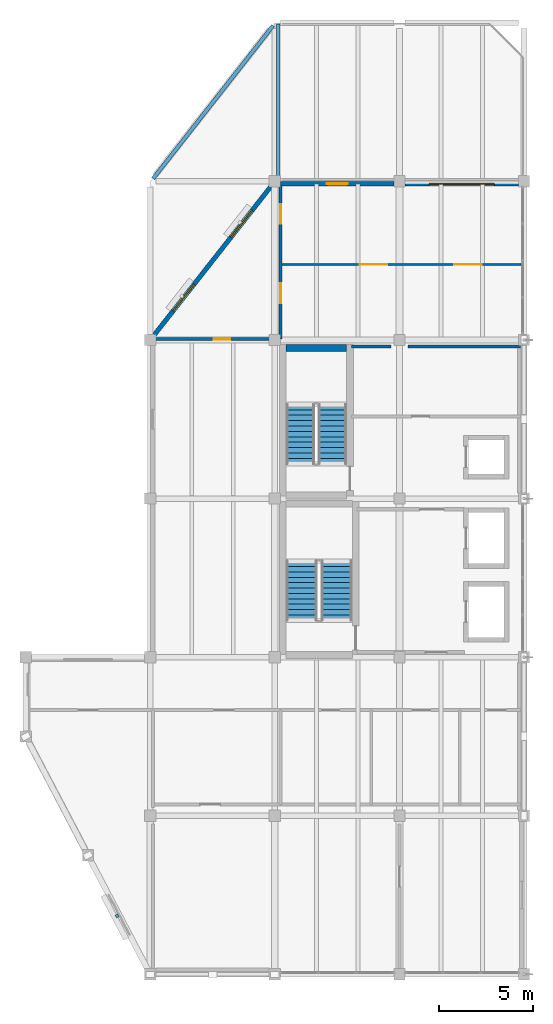
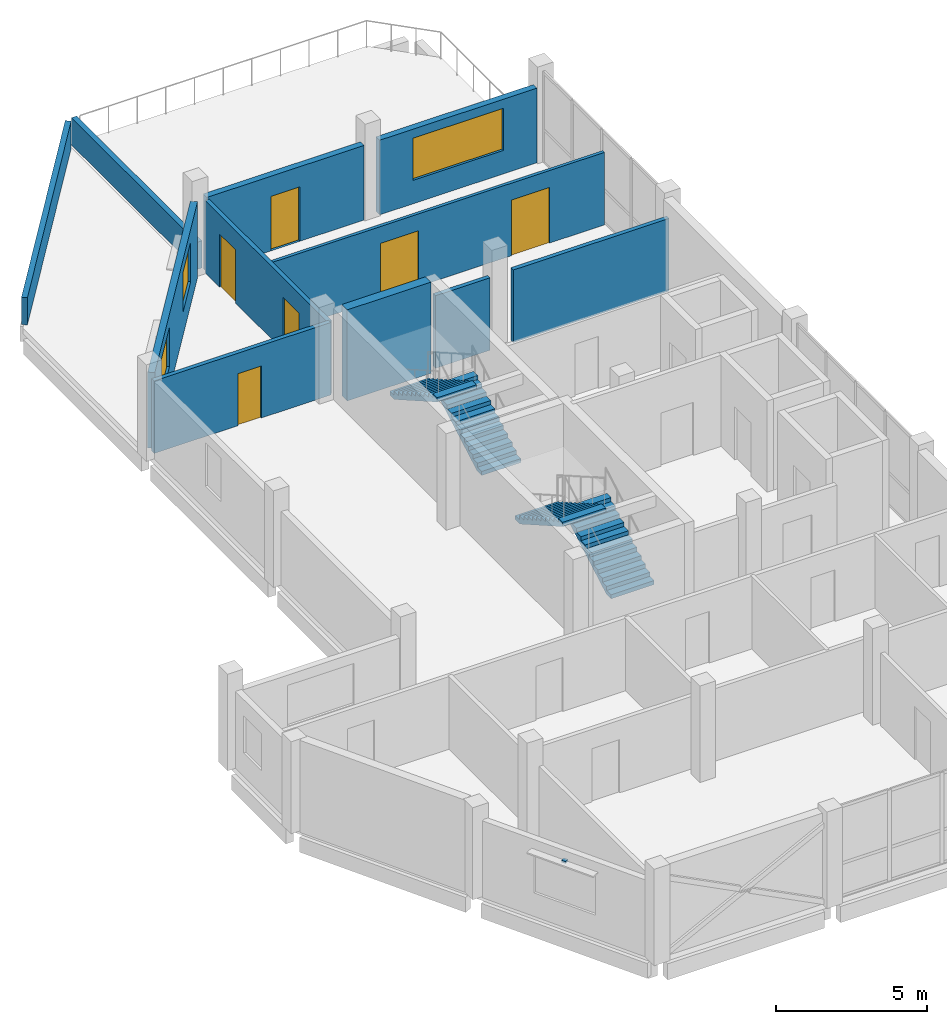
# One storey, part 7 of 10: 11 walls, 6 doors, 4 stair flights, 3 windows, 1 discrete accessory, 9 openings, 2 elements without a shape of their own.
"""IFC4 building model written with IfcOpenShell, lengths in metres."""

from ifc_helpers import new_model, si_unit, direction, frame, frame_2d, origin, origin_2d, place, context, subcontext, project, spatial, polyline, rectangle, outline, extrude, material, layer, layer_set, type_object, element, fill, aggregate, save


model = new_model("IFC4")

# Units and contexts
model_context = context("Model", 3, precision=1e-05, world=origin(), true_north=direction((0.0, 1.0)))
body_context = subcontext(model_context, "Body", "Model", "MODEL_VIEW")
ifc_project = project(units=[si_unit("LENGTHUNIT", "METRE"), si_unit("AREAUNIT", "SQUARE_METRE"), si_unit("VOLUMEUNIT", "CUBIC_METRE"), si_unit("PLANEANGLEUNIT", "RADIAN"), si_unit("MASSUNIT", "GRAM", prefix="KILO")], contexts=[model_context])

# Site, building, storey
site_placement = place(None, origin())
site = spatial("IfcSite", under=ifc_project, at=site_placement, CompositionType="ELEMENT")
building_placement = place(site_placement, origin())
building = spatial("IfcBuilding", under=site, at=building_placement, Name="Qaldarim Faculty of Natural and Applied Sciences", CompositionType="ELEMENT")
storey_placement = place(building_placement, frame((0.0, 0.0, 39.300048828125)))
storey = spatial("IfcBuildingStorey", under=building, at=storey_placement, Name="L09", CompositionType="ELEMENT", Elevation=39.300048828125)

# Wall, openings, doors
ifc_material_1 = material(Name="Painted gypsum partition board")
ifc_layer_1 = layer(ifc_material_1, 0.1201171875)
ifc_layer_set_1 = layer_set([ifc_layer_1], Name="Painted gypsum partition board")
wall_type_1 = type_object("IfcWallType", Name="AcousticPartition-120", PredefinedType="PARTITIONING", material=ifc_layer_set_1)
wall_1_placement = place(storey_placement, frame((165.300048828125, 37.60009765625, 0.0), z_axis=(0.0, 0.0, 1.0), x_axis=(1.0, 0.0, 0.0)))
wall_1 = element("IfcWall", 1, at=wall_1_placement, inside=storey, type_object=wall_type_1, Name="Interior partition PRT-L09-V5-USUB-1", PredefinedType="PARTITIONING", context=body_context, shape_type="SweptSolid", body=[
    extrude(rectangle(XDim=12.75, YDim=0.1201171875, at=frame_2d((6.375, 0.0))), origin(), (0.0, 0.0, 1.0), 2.929931640625),
])
opening_1_placement = place(wall_1_placement, frame((4.199951171875, 0.0, 0.0)))
opening_1 = element("IfcOpeningElement", 2, at=opening_1_placement, cuts=wall_1, Name="Opening ID11", PredefinedType="OPENING", context=body_context, shape_type="SweptSolid", body=[
    extrude(rectangle(XDim=1.449951171875, YDim=2.25, at=frame_2d((0.72509765625, 1.125))), frame((0.0, 0.070068359375, 0.0), z_axis=(0.0, -1.0, 0.0), x_axis=(1.0, 0.0, 0.0)), (0.0, 0.0, 1.0), 0.14013671875),
])
opening_2_placement = place(wall_1_placement, frame((9.199951171875, 0.0, 0.0)))
opening_2 = element("IfcOpeningElement", 3, at=opening_2_placement, cuts=wall_1, Name="Opening ID11", PredefinedType="OPENING", context=body_context, shape_type="SweptSolid", body=[
    extrude(rectangle(XDim=1.449951171875, YDim=2.25, at=frame_2d((0.72509765625, 1.125))), frame((0.0, 0.070068359375, 0.0), z_axis=(0.0, -1.0, 0.0), x_axis=(1.0, 0.0, 0.0)), (0.0, 0.0, 1.0), 0.14013671875),
])
ifc_material_2 = material(Name="Architectural stainless steel 316", Category="steel")
door_type_1 = type_object("IfcDoorType", Name="InstrumentSuiteDoor-1450x2250", OperationType="NOTDEFINED", PredefinedType="DOOR", material=ifc_material_2)
door_1_placement = place(opening_1_placement, origin())
door_1 = element("IfcDoor", 4, at=door_1_placement, inside=storey, type_object=door_type_1, Name="Interior door D-L09-360", OperationType="SINGLE_SWING_LEFT", OverallHeight=2.25, OverallWidth=1.449951171875, PredefinedType="DOOR", context=body_context, shape_type="SweptSolid", body=[
    extrude(rectangle(XDim=1.449951171875, YDim=2.25, at=frame_2d((0.72509765625, 1.125))), frame((0.0, 0.02490234375, 0.0), z_axis=(0.0, -1.0, 0.0), x_axis=(1.0, 0.0, 0.0)), (0.0, 0.0, 1.0), 0.050048828125),
])
fill(opening_1, door_1)
door_2_placement = place(opening_2_placement, origin())
door_2 = element("IfcDoor", 5, at=door_2_placement, inside=storey, type_object=door_type_1, Name="Interior door D-L09-361", OperationType="SINGLE_SWING_RIGHT", OverallHeight=2.25, OverallWidth=1.449951171875, PredefinedType="DOOR", context=body_context, shape_type="SweptSolid", body=[
    extrude(rectangle(XDim=1.449951171875, YDim=2.25, at=frame_2d((0.72509765625, 1.125))), frame((0.0, 0.02490234375, 0.0), z_axis=(0.0, -1.0, 0.0), x_axis=(1.0, 0.0, 0.0)), (0.0, 0.0, 1.0), 0.050048828125),
])
fill(opening_2, door_2)

# Wall
ifc_material_3 = material(Name="Concrete C50/60", Category="concrete")
ifc_layer_2 = layer(ifc_material_3, 0.360107421875)
ifc_layer_set_2 = layer_set([ifc_layer_2], Name="Concrete C50/60")
wall_type_2 = type_object("IfcWallType", Name="CoreShearWall-360", PredefinedType="SHEAR", material=ifc_layer_set_2)
wall_2_placement = place(storey_placement, frame((165.60009765625, 33.179931640625, 0.0), z_axis=(0.0, 0.0, 1.0), x_axis=(1.0, 0.0, 0.0)))
element("IfcWall", 6, at=wall_2_placement, inside=storey, type_object=wall_type_2, Name="Core stair ST-A2 north shear wall L09", PredefinedType="SHEAR", context=body_context, shape_type="SweptSolid", body=[
    extrude(rectangle(XDim=3.199951171875, YDim=0.360107421875, at=frame_2d((1.60009765625, 0.0))), origin(), (0.0, 0.0, 1.0), 3.679931640625),
])

# Wall, opening, door
ifc_material_4 = material(Name="Precast concrete C40/50", Category="concrete")
ifc_layer_3 = layer(ifc_material_4, 0.239990234375)
ifc_layer_set_3 = layer_set([ifc_layer_3], Name="Precast concrete C40/50")
wall_type_3 = type_object("IfcWallType", Name="ExteriorInsulatedWall-240", PredefinedType="SOLIDWALL", material=ifc_layer_set_3)
wall_3_placement = place(storey_placement, frame((171.304931640625, 41.8798828125, 0.0), z_axis=(0.0, 0.0, 1.0), x_axis=(-1.0, 0.0, 0.0)))
wall_3 = element("IfcWall", 7, at=wall_3_placement, inside=storey, type_object=wall_type_3, Name="Exterior wall EW03 L09 N X26Y05", PredefinedType="SOLIDWALL", context=body_context, shape_type="SweptSolid", body=[
    extrude(rectangle(XDim=6.010009765625, YDim=0.239990234375, at=frame_2d((3.0048828125, 0.0))), origin(), (0.0, 0.0, 1.0), 3.014892578125),
])
opening_3_placement = place(wall_3_placement, frame((2.455078125, 0.0, 0.0)))
opening_3 = element("IfcOpeningElement", 8, at=opening_3_placement, cuts=wall_3, Name="Opening ED03", PredefinedType="OPENING", context=body_context, shape_type="SweptSolid", body=[
    extrude(rectangle(XDim=1.10009765625, YDim=2.199951171875, at=frame_2d((0.550048828125, 1.10009765625))), frame((0.0, 0.1298828125, 0.0), z_axis=(0.0, -1.0, 0.0), x_axis=(1.0, 0.0, 0.0)), (0.0, 0.0, 1.0), 0.260009765625),
])
ifc_material_5 = material(Name="Anodised aluminium AW-6063", Category="aluminium")
door_type_2 = type_object("IfcDoorType", Name="TerraceAccessDoor-1100x2200", OperationType="NOTDEFINED", PredefinedType="DOOR", material=ifc_material_5)
door_3_placement = place(opening_3_placement, frame((1.10009765625, 0.0, 0.0), z_axis=(0.0, 0.0, 1.0), x_axis=(-1.0, 0.0, 0.0)))
door_3 = element("IfcDoor", 9, at=door_3_placement, inside=storey, type_object=door_type_2, Name="Terrace access door D-L09-030", OperationType="SINGLE_SWING_RIGHT", OverallHeight=2.199951171875, OverallWidth=1.10009765625, PredefinedType="DOOR", context=body_context, shape_type="SweptSolid", body=[
    extrude(rectangle(XDim=1.10009765625, YDim=2.199951171875, at=frame_2d((0.550048828125, 1.10009765625))), frame((0.0, 0.02490234375, 0.0), z_axis=(0.0, -1.0, 0.0), x_axis=(1.0, 0.0, 0.0)), (0.0, 0.0, 1.0), 0.050048828125),
])
fill(opening_3, door_3)

# Wall, opening, window
wall_4_placement = place(storey_placement, frame((177.905029296875, 41.8798828125, 0.0), z_axis=(0.0, 0.0, 1.0), x_axis=(-1.0, 0.0, 0.0)))
wall_4 = element("IfcWall", 10, at=wall_4_placement, inside=storey, type_object=wall_type_3, Name="Exterior wall EW03 L09 N X27Y05", PredefinedType="SOLIDWALL", context=body_context, shape_type="SweptSolid", body=[
    extrude(rectangle(XDim=6.010009765625, YDim=0.239990234375, at=frame_2d((3.0048828125, 0.0))), origin(), (0.0, 0.0, 1.0), 3.014892578125),
])
opening_4_placement = place(wall_4_placement, frame((1.280029296875, 0.0, 0.949951171875)))
opening_4 = element("IfcOpeningElement", 11, at=opening_4_placement, cuts=wall_4, Name="Opening WN16", PredefinedType="OPENING", context=body_context, shape_type="SweptSolid", body=[
    extrude(rectangle(XDim=3.449951171875, YDim=1.699951171875, at=frame_2d((1.72509765625, 0.85009765625))), frame((0.0, 0.1298828125, 0.0), z_axis=(0.0, -1.0, 0.0), x_axis=(1.0, 0.0, 0.0)), (0.0, 0.0, 1.0), 0.260009765625),
])
ifc_material_6 = material(Name="Insulated low-e double glazing", Category="glass")
window_type_1 = type_object("IfcWindowType", Name="LabWindow-3450x1700", PartitioningType="TRIPLE_PANEL_VERTICAL", PredefinedType="WINDOW", material=ifc_material_6)
window_1_placement = place(opening_4_placement, origin())
window_1 = element("IfcWindow", 12, at=window_1_placement, inside=storey, type_object=window_type_1, Name="Facade window WN16 L09 N X27Y05", OverallHeight=1.699951171875, OverallWidth=3.449951171875, PartitioningType="SINGLE_PANEL", PredefinedType="WINDOW", context=body_context, shape_type="SweptSolid", body=[
    extrude(rectangle(XDim=3.449951171875, YDim=1.699951171875, at=frame_2d((1.72509765625, 0.85009765625))), frame((0.0, 0.030029296875, 0.0), z_axis=(0.0, -1.0, 0.0), x_axis=(1.0, 0.0, 0.0)), (0.0, 0.0, 1.0), 0.06005859375),
])
fill(opening_4, window_1)

# Wall, openings, windows
wall_5_placement = place(storey_placement, frame((158.6201171875, 33.8798828125, 0.0), z_axis=(0.0, 0.0, 1.0), x_axis=(0.617811819191, 0.786325985878, 0.0)))
wall_5 = element("IfcWall", 13, at=wall_5_placement, inside=storey, type_object=wall_type_3, Name="Oblique NW chamfer fenestrated wall L09", PredefinedType="SOLIDWALL", context=body_context, shape_type="SweptSolid", body=[
    extrude(rectangle(XDim=9.970458984375, YDim=0.239990234375, at=frame_2d((4.9853515625, 0.0))), origin(), (0.0, 0.0, 1.0), 3.06494140625),
])
opening_5_placement = place(wall_5_placement, frame((1.60009765625, 0.0, 0.949951171875)))
opening_5 = element("IfcOpeningElement", 14, at=opening_5_placement, cuts=wall_5, Name="Opening WN02", PredefinedType="OPENING", context=body_context, shape_type="SweptSolid", body=[
    extrude(rectangle(XDim=1.800048828125, YDim=1.60009765625, at=frame_2d((0.89990234375, 0.800048828125))), frame((0.0, 0.1298828125, 0.0), z_axis=(0.0, -1.0, 0.0), x_axis=(1.0, 0.0, 0.0)), (0.0, 0.0, 1.0), 0.260009765625),
])
opening_6_placement = place(wall_5_placement, frame((6.570068359375, 0.0, 0.949951171875)))
opening_6 = element("IfcOpeningElement", 15, at=opening_6_placement, cuts=wall_5, Name="Opening WN02", PredefinedType="OPENING", context=body_context, shape_type="SweptSolid", body=[
    extrude(rectangle(XDim=1.800048828125, YDim=1.60009765625, at=frame_2d((0.89990234375, 0.800048828125))), frame((0.0, 0.1298828125, 0.0), z_axis=(0.0, -1.0, 0.0), x_axis=(1.0, 0.0, 0.0)), (0.0, 0.0, 1.0), 0.260009765625),
])
window_type_2 = type_object("IfcWindowType", Name="Window-1800x1600", PartitioningType="DOUBLE_PANEL_VERTICAL", PredefinedType="WINDOW", material=ifc_material_6)
window_2_placement = place(opening_5_placement, origin())
window_2 = element("IfcWindow", 16, at=window_2_placement, inside=storey, type_object=window_type_2, Name="Oblique NW stepped tier window L09 1", OverallHeight=1.60009765625, OverallWidth=1.800048828125, PartitioningType="SINGLE_PANEL", PredefinedType="WINDOW", context=body_context, shape_type="SweptSolid", body=[
    extrude(rectangle(XDim=1.800048828125, YDim=1.60009765625, at=frame_2d((0.89990234375, 0.800048828125))), frame((0.0, 0.030029296875, 0.0), z_axis=(0.0, -1.0, 0.0), x_axis=(1.0, 0.0, 0.0)), (0.0, 0.0, 1.0), 0.06005859375),
])
fill(opening_5, window_2)
window_3_placement = place(opening_6_placement, origin())
window_3 = element("IfcWindow", 17, at=window_3_placement, inside=storey, type_object=window_type_2, Name="Oblique NW stepped tier window L09 2", OverallHeight=1.60009765625, OverallWidth=1.800048828125, PartitioningType="SINGLE_PANEL", PredefinedType="WINDOW", context=body_context, shape_type="SweptSolid", body=[
    extrude(rectangle(XDim=1.800048828125, YDim=1.60009765625, at=frame_2d((0.89990234375, 0.800048828125))), frame((0.0, 0.030029296875, 0.0), z_axis=(0.0, -1.0, 0.0), x_axis=(1.0, 0.0, 0.0)), (0.0, 0.0, 1.0), 0.06005859375),
])
fill(opening_6, window_3)

# Wall, openings, doors
ifc_material_7 = material(Name="Concrete C40/50", Category="concrete")
ifc_layer_4 = layer(ifc_material_7, 0.159912109375)
ifc_layer_set_4 = layer_set([ifc_layer_4], Name="Concrete C40/50")
wall_type_4 = type_object("IfcWallType", Name="FireCorridorWall-160", PredefinedType="PARTITIONING", material=ifc_layer_set_4)
wall_6_placement = place(storey_placement, frame((165.300048828125, 33.64990234375, 0.0), z_axis=(0.0, 0.0, 1.0), x_axis=(0.0, 1.0, 0.0)))
wall_6 = element("IfcWall", 18, at=wall_6_placement, inside=storey, type_object=wall_type_4, Name="Interior partition PRT-L09-U-NW", PredefinedType="PARTITIONING", context=body_context, shape_type="SweptSolid", body=[
    extrude(rectangle(XDim=8.10009765625, YDim=0.159912109375, at=frame_2d((4.050048828125, 0.0))), origin(), (0.0, 0.0, 1.0), 2.929931640625),
])
opening_7_placement = place(wall_6_placement, frame((1.89990234375, 0.0, 0.0)))
opening_7 = element("IfcOpeningElement", 19, at=opening_7_placement, cuts=wall_6, Name="Opening ID02", PredefinedType="OPENING", context=body_context, shape_type="SweptSolid", body=[
    extrude(rectangle(XDim=1.050048828125, YDim=2.14990234375, at=frame_2d((0.52490234375, 1.074951171875))), frame((0.0, 0.08984375, 0.0), z_axis=(0.0, -1.0, 0.0), x_axis=(1.0, 0.0, 0.0)), (0.0, 0.0, 1.0), 0.179931640625),
])
opening_8_placement = place(wall_6_placement, frame((6.10009765625, 0.0, 0.0)))
opening_8 = element("IfcOpeningElement", 20, at=opening_8_placement, cuts=wall_6, Name="Opening ID02", PredefinedType="OPENING", context=body_context, shape_type="SweptSolid", body=[
    extrude(rectangle(XDim=1.050048828125, YDim=2.14990234375, at=frame_2d((0.52490234375, 1.074951171875))), frame((0.0, 0.08984375, 0.0), z_axis=(0.0, -1.0, 0.0), x_axis=(1.0, 0.0, 0.0)), (0.0, 0.0, 1.0), 0.179931640625),
])
ifc_material_8 = material(Name="Oak hardwood", Category="wood")
door_type_3 = type_object("IfcDoorType", Name="AccessibleRoomDoor-1050x2150", OperationType="NOTDEFINED", PredefinedType="DOOR", material=ifc_material_8)
door_4_placement = place(opening_7_placement, origin())
door_4 = element("IfcDoor", 21, at=door_4_placement, inside=storey, type_object=door_type_3, Name="Interior door D-L09-282", OperationType="SINGLE_SWING_LEFT", OverallHeight=2.14990234375, OverallWidth=1.050048828125, PredefinedType="DOOR", context=body_context, shape_type="SweptSolid", body=[
    extrude(rectangle(XDim=1.050048828125, YDim=2.14990234375, at=frame_2d((0.52490234375, 1.074951171875))), frame((0.0, 0.02490234375, 0.0), z_axis=(0.0, -1.0, 0.0), x_axis=(1.0, 0.0, 0.0)), (0.0, 0.0, 1.0), 0.050048828125),
])
fill(opening_7, door_4)
door_5_placement = place(opening_8_placement, origin())
door_5 = element("IfcDoor", 22, at=door_5_placement, inside=storey, type_object=door_type_3, Name="Interior door D-L09-283", OperationType="SINGLE_SWING_RIGHT", OverallHeight=2.14990234375, OverallWidth=1.050048828125, PredefinedType="DOOR", context=body_context, shape_type="SweptSolid", body=[
    extrude(rectangle(XDim=1.050048828125, YDim=2.14990234375, at=frame_2d((0.52490234375, 1.074951171875))), frame((0.0, 0.02490234375, 0.0), z_axis=(0.0, -1.0, 0.0), x_axis=(1.0, 0.0, 0.0)), (0.0, 0.0, 1.0), 0.050048828125),
])
fill(opening_8, door_5)

# Wall, opening, door
wall_7_placement = place(storey_placement, frame((158.550048828125, 33.64990234375, 0.0), z_axis=(0.0, 0.0, 1.0), x_axis=(1.0, 0.0, 0.0)))
wall_7 = element("IfcWall", 23, at=wall_7_placement, inside=storey, type_object=wall_type_4, Name="Interior partition PRT-L09-U-FELS", PredefinedType="PARTITIONING", context=body_context, shape_type="SweptSolid", body=[
    extrude(rectangle(XDim=6.75, YDim=0.159912109375, at=frame_2d((3.375, 0.0))), origin(), (0.0, 0.0, 1.0), 2.929931640625),
])
opening_9_placement = place(wall_7_placement, frame((3.199951171875, 0.0, 0.0)))
opening_9 = element("IfcOpeningElement", 24, at=opening_9_placement, cuts=wall_7, Name="Opening ID07", PredefinedType="OPENING", context=body_context, shape_type="SweptSolid", body=[
    extrude(rectangle(XDim=0.89990234375, YDim=2.10009765625, at=frame_2d((0.449951171875, 1.050048828125))), frame((0.0, 0.08984375, 0.0), z_axis=(0.0, -1.0, 0.0), x_axis=(1.0, 0.0, 0.0)), (0.0, 0.0, 1.0), 0.179931640625),
])
door_type_4 = type_object("IfcDoorType", Name="OfficeStudyDoor-900x2100", OperationType="NOTDEFINED", PredefinedType="DOOR", material=ifc_material_8)
door_6_placement = place(opening_9_placement, origin())
door_6 = element("IfcDoor", 25, at=door_6_placement, inside=storey, type_object=door_type_4, Name="Interior door D-L09-284", OperationType="SINGLE_SWING_LEFT", OverallHeight=2.10009765625, OverallWidth=0.89990234375, PredefinedType="DOOR", context=body_context, shape_type="SweptSolid", body=[
    extrude(rectangle(XDim=0.89990234375, YDim=2.10009765625, at=frame_2d((0.449951171875, 1.050048828125))), frame((0.0, 0.02490234375, 0.0), z_axis=(0.0, -1.0, 0.0), x_axis=(1.0, 0.0, 0.0)), (0.0, 0.0, 1.0), 0.050048828125),
])
fill(opening_9, door_6)

# Walls
wall_8_placement = place(storey_placement, frame((169.070068359375, 33.25, 0.0), z_axis=(0.0, 0.0, 1.0), x_axis=(1.0, 0.0, 0.0)))
element("IfcWall", 26, at=wall_8_placement, inside=storey, type_object=wall_type_4, Name="Interior partition PRT-L09-V5-NEN-S1", PredefinedType="PARTITIONING", context=body_context, shape_type="SweptSolid", body=[
    extrude(rectangle(XDim=2.079833984375, YDim=0.159912109375, at=frame_2d((1.0400390625, 0.0))), origin(), (0.0, 0.0, 1.0), 2.929931640625),
])
wall_9_placement = place(storey_placement, frame((172.050048828125, 33.25, 0.0), z_axis=(0.0, 0.0, 1.0), x_axis=(1.0, 0.0, 0.0)))
element("IfcWall", 27, at=wall_9_placement, inside=storey, type_object=wall_type_4, Name="Interior partition PRT-L09-V5-NEN-S2", PredefinedType="PARTITIONING", context=body_context, shape_type="SweptSolid", body=[
    extrude(rectangle(XDim=5.949951171875, YDim=0.159912109375, at=frame_2d((2.97509765625, 0.0))), origin(), (0.0, 0.0, 1.0), 2.929931640625),
])
ifc_material_9 = material(Name="White architectural precast concrete C40/50", Category="concrete")
ifc_layer_5 = layer(ifc_material_9, 0.199951171875)
ifc_layer_set_5 = layer_set([ifc_layer_5], Name="White architectural precast concrete C40/50")
wall_type_5 = type_object("IfcWallType", Name="RoofParapetWall-200", PredefinedType="PARAPET", material=ifc_layer_set_5)
wall_10_placement = place(storey_placement, frame((158.550048828125, 42.14990234375, 0.0), z_axis=(0.0, 0.0, 1.0), x_axis=(0.616949570593, 0.787002685729, 0.0)))
element("IfcWall", 28, at=wall_10_placement, inside=storey, type_object=wall_type_5, Name="Roof parapet PAR-L09-V5NW-OB", PredefinedType="PARAPET", context=body_context, shape_type="SweptSolid", body=[
    extrude(rectangle(XDim=10.292236328125, YDim=0.199951171875, at=frame_2d((5.14599609375, 0.0))), origin(), (0.0, 0.0, 1.0), 1.099853515625),
])
wall_11_placement = place(storey_placement, frame((165.179931640625, 42.050048828125, 0.0), z_axis=(0.0, 0.0, 1.0), x_axis=(0.0, 1.0, 0.0)))
element("IfcWall", 29, at=wall_11_placement, inside=storey, type_object=wall_type_5, Name="Roof parapet PAR-L09-TER-W", PredefinedType="PARAPET", context=body_context, shape_type="SweptSolid", body=[
    extrude(rectangle(XDim=8.300048828125, YDim=0.199951171875, at=frame_2d((4.14990234375, 0.0))), origin(), (0.0, 0.0, 1.0), 1.099853515625),
])

# Stair, stair flights
stair_type_1 = type_object("IfcStairType", Name="DoglegStair-W1500-H3900-24R", PredefinedType="HALF_TURN_STAIR", material=ifc_material_7)
stair_1_placement = place(storey_placement, origin())
stair_1 = element("IfcStair", 30, at=stair_1_placement, inside=storey, type_object=stair_type_1, Name="Enclosed exit stair ST-A2 L09", PredefinedType="HALF_TURN_STAIR")
stair_flight_type_1 = type_object("IfcStairFlightType", Name="StairFlight-W1500-12R", PredefinedType="STRAIGHT", material=ifc_material_7)
stair_flight_1_placement = place(storey_placement, frame((168.050048828125, 27.050048828125, 0.0), z_axis=(0.0, 0.0, 1.0), x_axis=(0.0, 1.0, 0.0)))
stair_flight_1 = element("IfcStairFlight", 31, at=stair_flight_1_placement, type_object=stair_flight_type_1, Name="ST-A2 L09 flight 1", NumberOfRisers=12, NumberOfTreads=11, PredefinedType="STRAIGHT", RiserHeight=0.1625, TreadLength=0.285, context=body_context, shape_type="SweptSolid", body=[
    extrude(outline(polyline([(0.0, 0.0), (0.0, 0.16259765625), (0.284912109375, 0.16259765625), (0.284912109375, 0.324951171875), (0.570068359375, 0.324951171875), (0.570068359375, 0.487548828125), (0.85498046875, 0.487548828125), (0.85498046875, 0.64990234375), (1.139892578125, 0.64990234375), (1.139892578125, 0.8125), (1.425048828125, 0.8125), (1.425048828125, 0.97509765625), (1.7099609375, 0.97509765625), (1.7099609375, 1.137451171875), (1.9951171875, 1.137451171875), (1.9951171875, 1.300048828125), (2.280029296875, 1.300048828125), (2.280029296875, 1.46240234375), (2.56494140625, 1.46240234375), (2.56494140625, 1.625), (2.85009765625, 1.625), (2.85009765625, 1.78759765625), (3.135009765625, 1.78759765625), (3.135009765625, 1.949951171875), (3.135009765625, 1.614990234375), (0.302734375, 0.0), (0.0, 0.0)])), frame((0.0, 0.75, 0.0), z_axis=(0.0, -1.0, 0.0), x_axis=(1.0, 0.0, 0.0)), (0.0, 0.0, 1.0), 1.5),
])
stair_flight_2_placement = place(storey_placement, frame((166.35009765625, 30.18505859375, 1.949951171875), z_axis=(0.0, 0.0, 1.0), x_axis=(0.0, -1.0, 0.0)))
stair_flight_2 = element("IfcStairFlight", 32, at=stair_flight_2_placement, type_object=stair_flight_type_1, Name="ST-A2 L09 flight 2", NumberOfRisers=12, NumberOfTreads=11, PredefinedType="STRAIGHT", RiserHeight=0.1625, TreadLength=0.285, context=body_context, shape_type="SweptSolid", body=[
    extrude(outline(polyline([(0.0, 0.0), (0.0, 0.16259765625), (0.284912109375, 0.16259765625), (0.284912109375, 0.324951171875), (0.570068359375, 0.324951171875), (0.570068359375, 0.487548828125), (0.85498046875, 0.487548828125), (0.85498046875, 0.64990234375), (1.139892578125, 0.64990234375), (1.139892578125, 0.8125), (1.425048828125, 0.8125), (1.425048828125, 0.97509765625), (1.7099609375, 0.97509765625), (1.7099609375, 1.137451171875), (1.9951171875, 1.137451171875), (1.9951171875, 1.300048828125), (2.280029296875, 1.300048828125), (2.280029296875, 1.46240234375), (2.56494140625, 1.46240234375), (2.56494140625, 1.625), (2.85009765625, 1.625), (2.85009765625, 1.78759765625), (3.135009765625, 1.78759765625), (3.135009765625, 1.949951171875), (3.135009765625, 1.614990234375), (0.302734375, 0.0), (0.0, 0.0)])), frame((0.0, 0.75, 0.0), z_axis=(0.0, -1.0, 0.0), x_axis=(1.0, 0.0, 0.0)), (0.0, 0.0, 1.0), 1.5),
])
aggregate(stair_1, [stair_flight_1, stair_flight_2])

stair_type_2 = type_object("IfcStairType", Name="DoglegStair-W1650-H3900-24R", PredefinedType="HALF_TURN_STAIR", material=ifc_material_7)
stair_2_placement = place(storey_placement, origin())
stair_2 = element("IfcStair", 33, at=stair_2_placement, inside=storey, type_object=stair_type_2, Name="Enclosed exit stair ST-A1 L09", PredefinedType="HALF_TURN_STAIR")
stair_flight_type_2 = type_object("IfcStairFlightType", Name="StairFlight-W1650-12R", PredefinedType="STRAIGHT", material=ifc_material_7)
stair_flight_3_placement = place(storey_placement, frame((168.27490234375, 18.75, 0.0), z_axis=(0.0, 0.0, 1.0), x_axis=(0.0, 1.0, 0.0)))
stair_flight_3 = element("IfcStairFlight", 34, at=stair_flight_3_placement, type_object=stair_flight_type_2, Name="ST-A1 L09 flight 1", NumberOfRisers=12, NumberOfTreads=11, PredefinedType="STRAIGHT", RiserHeight=0.1625, TreadLength=0.285, context=body_context, shape_type="SweptSolid", body=[
    extrude(outline(polyline([(0.0, 0.0), (0.0, 0.16259765625), (0.284912109375, 0.16259765625), (0.284912109375, 0.324951171875), (0.570068359375, 0.324951171875), (0.570068359375, 0.487548828125), (0.85498046875, 0.487548828125), (0.85498046875, 0.64990234375), (1.139892578125, 0.64990234375), (1.139892578125, 0.8125), (1.425048828125, 0.8125), (1.425048828125, 0.97509765625), (1.7099609375, 0.97509765625), (1.7099609375, 1.137451171875), (1.9951171875, 1.137451171875), (1.9951171875, 1.300048828125), (2.280029296875, 1.300048828125), (2.280029296875, 1.46240234375), (2.56494140625, 1.46240234375), (2.56494140625, 1.625), (2.85009765625, 1.625), (2.85009765625, 1.78759765625), (3.135009765625, 1.78759765625), (3.135009765625, 1.949951171875), (3.135009765625, 1.614990234375), (0.302734375, 0.0), (0.0, 0.0)])), frame((0.0, 0.824951171875, 0.0), z_axis=(0.0, -1.0, 0.0), x_axis=(1.0, 0.0, 0.0)), (0.0, 0.0, 1.0), 1.64990234375),
])
stair_flight_4_placement = place(storey_placement, frame((166.425048828125, 21.885009765625, 1.949951171875), z_axis=(0.0, 0.0, 1.0), x_axis=(0.0, -1.0, 0.0)))
stair_flight_4 = element("IfcStairFlight", 35, at=stair_flight_4_placement, type_object=stair_flight_type_2, Name="ST-A1 L09 flight 2", NumberOfRisers=12, NumberOfTreads=11, PredefinedType="STRAIGHT", RiserHeight=0.1625, TreadLength=0.285, context=body_context, shape_type="SweptSolid", body=[
    extrude(outline(polyline([(0.0, 0.0), (0.0, 0.16259765625), (0.284912109375, 0.16259765625), (0.284912109375, 0.324951171875), (0.570068359375, 0.324951171875), (0.570068359375, 0.487548828125), (0.85498046875, 0.487548828125), (0.85498046875, 0.64990234375), (1.139892578125, 0.64990234375), (1.139892578125, 0.8125), (1.425048828125, 0.8125), (1.425048828125, 0.97509765625), (1.7099609375, 0.97509765625), (1.7099609375, 1.137451171875), (1.9951171875, 1.137451171875), (1.9951171875, 1.300048828125), (2.280029296875, 1.300048828125), (2.280029296875, 1.46240234375), (2.56494140625, 1.46240234375), (2.56494140625, 1.625), (2.85009765625, 1.625), (2.85009765625, 1.78759765625), (3.135009765625, 1.78759765625), (3.135009765625, 1.949951171875), (3.135009765625, 1.614990234375), (0.302734375, 0.0), (0.0, 0.0)])), frame((0.0, 0.824951171875, 0.0), z_axis=(0.0, -1.0, 0.0), x_axis=(1.0, 0.0, 0.0)), (0.0, 0.0, 1.0), 1.64990234375),
])
aggregate(stair_2, [stair_flight_3, stair_flight_4])

# Discrete accessory
ifc_layer_6 = layer(ifc_material_2, 0.080078125)
ifc_layer_set_6 = layer_set([ifc_layer_6], Name="Architectural stainless steel 316")
discrete_accessory_type = type_object("IfcDiscreteAccessoryType", Name="FacadeBracket-SS120", PredefinedType="BRACKET", material=ifc_layer_set_6)
discrete_accessory_placement = place(storey_placement, frame((156.64501953125, 3.094970703125, 2.659912109375), z_axis=(0.0, 0.0, 1.0), x_axis=(0.46447113214, -0.885588260654, 0.0)))
element("IfcDiscreteAccessory", 36, at=discrete_accessory_placement, inside=storey, type_object=discrete_accessory_type, Name="Oblique solar louvre bracket SHD-OBL-SW-L09-2", PredefinedType="BRACKET", context=body_context, shape_type="SweptSolid", body=[
    extrude(rectangle(XDim=0.159912109375, YDim=0.159912109375, at=origin_2d()), origin(), (0.0, 0.0, 1.0), 0.080078125),
])

save(model, "model.ifc")
